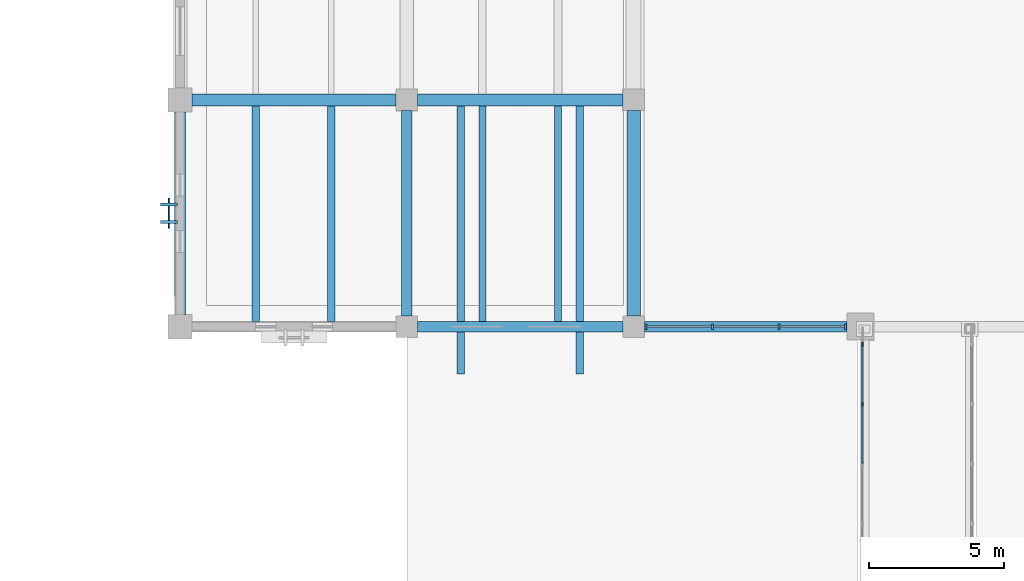
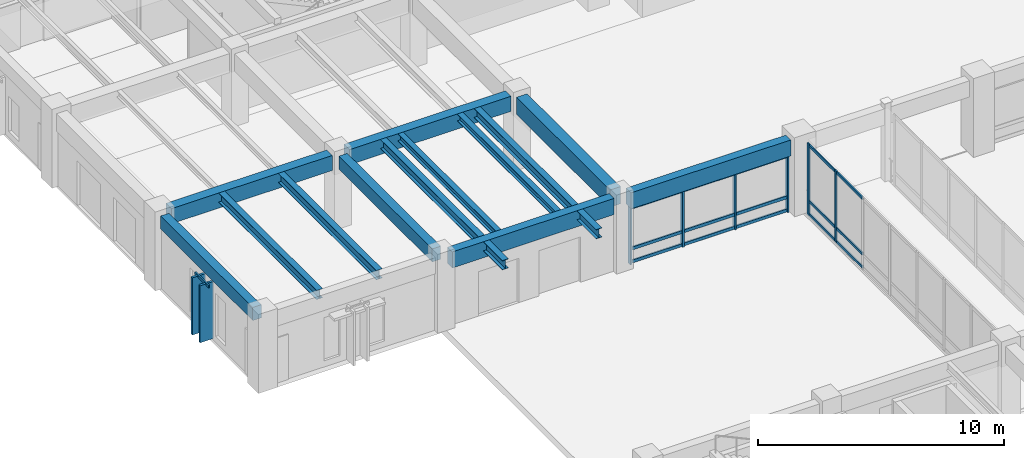
# One storey, part 37 of 135: 24 members, 13 beams, 3 elements without a shape of their own.
"""IFC4 building model written with IfcOpenShell, lengths in metres."""

from ifc_helpers import new_model, si_unit, direction, frame, origin, origin_2d, place, context, subcontext, project, spatial, rectangle, i_section, extrude, material, material_profile, profile_set, type_object, element, aggregate, save


model = new_model("IFC4")

# Units and contexts
model_context = context("Model", 3, precision=1e-05, world=origin(), true_north=direction((0.0, 1.0)))
body_context = subcontext(model_context, "Body", "Model", "MODEL_VIEW")
ifc_project = project(units=[si_unit("LENGTHUNIT", "METRE"), si_unit("AREAUNIT", "SQUARE_METRE"), si_unit("VOLUMEUNIT", "CUBIC_METRE"), si_unit("PLANEANGLEUNIT", "RADIAN"), si_unit("MASSUNIT", "GRAM", prefix="KILO")], contexts=[model_context])

# Site, building, storey
site_placement = place(None, origin())
site = spatial("IfcSite", under=ifc_project, at=site_placement, CompositionType="ELEMENT")
building_placement = place(site_placement, origin())
building = spatial("IfcBuilding", under=site, at=building_placement, Name="Cumbredor Promenade Congress Hotel", CompositionType="ELEMENT")
storey_placement = place(building_placement, origin())
storey = spatial("IfcBuildingStorey", under=building, at=storey_placement, Name="L00", CompositionType="ELEMENT", Elevation=0.0)

# Beams
ifc_material_1 = material(Name="Concrete C40/50", Category="concrete")
ifc_material_profile_1 = material_profile(ifc_material_1, rectangle(XDim=0.39990234375, YDim=0.64990234375, at=origin_2d()), Name="RC BEAM 400x650")
ifc_profile_set_1 = profile_set([ifc_material_profile_1], Name="Concrete C40/50")
beam_type_1 = type_object("IfcBeamType", Name="BM-RC-400x650", PredefinedType="BEAM", material=ifc_profile_set_1)
beam_1_placement = place(storey_placement, frame((0.0, 84.449951171875, 3.31494140625), z_axis=(0.0, 1.0, 0.0), x_axis=(-1.0, 0.0, 0.0)))
element("IfcBeam", 1, at=beam_1_placement, inside=storey, type_object=beam_type_1, Name="L01 Y-Grid Beam 002", PredefinedType="BEAM", context=body_context, shape_type="SweptSolid", body=[
    extrude(rectangle(XDim=0.39990234375, YDim=0.64990234375, at=origin_2d()), origin(), (0.0, 0.0, 1.0), 7.5),
])
beam_2_placement = place(storey_placement, frame((8.39990234375, 84.39990234375, 3.31494140625), z_axis=(0.0, 1.0, 0.0), x_axis=(-1.0, 0.0, 0.0)))
element("IfcBeam", 2, at=beam_2_placement, inside=storey, type_object=beam_type_1, Name="L01 Y-Grid Beam 026", PredefinedType="BEAM", context=body_context, shape_type="SweptSolid", body=[
    extrude(rectangle(XDim=0.39990234375, YDim=0.64990234375, at=origin_2d()), origin(), (0.0, 0.0, 1.0), 7.60009765625),
])
ifc_material_profile_2 = material_profile(ifc_material_1, rectangle(XDim=0.449951171875, YDim=0.75, at=origin_2d()), Name="RC BEAM 450x750")
ifc_profile_set_2 = profile_set([ifc_material_profile_2], Name="Concrete C40/50")
beam_type_2 = type_object("IfcBeamType", Name="BM-RC-450x750", PredefinedType="BEAM", material=ifc_profile_set_2)
beam_3_placement = place(storey_placement, frame((0.449951171875, 92.39990234375, 3.264892578125), z_axis=(1.0, 0.0, 0.0), x_axis=(0.0, 1.0, 0.0)))
element("IfcBeam", 3, at=beam_3_placement, inside=storey, type_object=beam_type_2, Name="L01 X-Grid Beam 003", PredefinedType="BEAM", context=body_context, shape_type="SweptSolid", body=[
    extrude(rectangle(XDim=0.449951171875, YDim=0.75, at=origin_2d()), origin(), (0.0, 0.0, 1.0), 7.550048828125),
])
beam_4_placement = place(storey_placement, frame((8.800048828125, 92.39990234375, 3.264892578125), z_axis=(1.0, 0.0, 0.0), x_axis=(0.0, 1.0, 0.0)))
element("IfcBeam", 4, at=beam_4_placement, inside=storey, type_object=beam_type_2, Name="L01 X-Grid Beam 027", PredefinedType="BEAM", context=body_context, shape_type="SweptSolid", body=[
    extrude(rectangle(XDim=0.449951171875, YDim=0.75, at=origin_2d()), origin(), (0.0, 0.0, 1.0), 7.599853515625),
])
ifc_material_profile_3 = material_profile(ifc_material_1, rectangle(XDim=0.5, YDim=0.85009765625, at=origin_2d()), Name="RC BEAM 500x850")
ifc_profile_set_3 = profile_set([ifc_material_profile_3], Name="Concrete C40/50")
beam_type_3 = type_object("IfcBeamType", Name="BM-RC-500x850", PredefinedType="BEAM", material=ifc_profile_set_3)
beam_5_placement = place(storey_placement, frame((16.800048828125, 84.39990234375, 3.215087890625), z_axis=(0.0, 1.0, 0.0), x_axis=(-1.0, 0.0, 0.0)))
element("IfcBeam", 5, at=beam_5_placement, inside=storey, type_object=beam_type_3, Name="L01 Y-Grid Beam 044", PredefinedType="BEAM", context=body_context, shape_type="SweptSolid", body=[
    extrude(rectangle(XDim=0.5, YDim=0.85009765625, at=origin_2d()), origin(), (0.0, 0.0, 1.0), 7.60009765625),
])

# Curtain wall, members
ifc_material_2 = material(Name="Thermally broken anodized aluminium and low-E glass", Category="aluminium")
curtain_wall_type_1 = type_object("IfcCurtainWallType", Name="Unitised Bridge Glazing Screen CW-05", PredefinedType="NOTDEFINED", material=ifc_material_2)
curtain_wall_1_placement = place(storey_placement, origin())
curtain_wall_1 = element("IfcCurtainWall", 6, at=curtain_wall_1_placement, inside=storey, type_object=curtain_wall_type_1, Name="L00 West Congress-to-Hotel Glazed Bridge West Glazing Screen", PredefinedType="NOTDEFINED")
ifc_material_3 = material(Name="Thermally broken anodized aluminium", Category="aluminium")
ifc_material_profile_4 = material_profile(ifc_material_3, rectangle(XDim=0.06494140625, YDim=0.159912109375, at=origin_2d()), Name="ALU MULLION 65x160")
ifc_profile_set_4 = profile_set([ifc_material_profile_4], Name="Thermally broken anodized aluminium")
member_type_1 = type_object("IfcMemberType", Name="Curtain Wall Mullion ML-01", PredefinedType="MULLION", material=ifc_profile_set_4)
member_1_placement = place(storey_placement, frame((25.280029296875, 81.128662109375, -0.008056640625), z_axis=(0.0, 0.0, 1.0), x_axis=(1.0, 0.0, 0.0)))
member_1 = element("IfcMember", 7, at=member_1_placement, type_object=member_type_1, Name="L00 West Congress-to-Hotel Glazed Bridge West Glazing Screen Mullion 7", PredefinedType="MULLION", context=body_context, shape_type="SweptSolid", body=[
    extrude(rectangle(XDim=0.06494140625, YDim=0.159912109375, at=origin_2d()), origin(), (0.0, 0.0, 1.0), 3.55615234375),
])
member_2_placement = place(storey_placement, frame((25.280029296875, 83.340087890625, -0.008056640625), z_axis=(0.0, 0.0, 1.0), x_axis=(1.0, 0.0, 0.0)))
member_2 = element("IfcMember", 8, at=member_2_placement, type_object=member_type_1, Name="L00 West Congress-to-Hotel Glazed Bridge West Glazing Screen Mullion 8", PredefinedType="MULLION", context=body_context, shape_type="SweptSolid", body=[
    extrude(rectangle(XDim=0.06494140625, YDim=0.159912109375, at=origin_2d()), origin(), (0.0, 0.0, 1.0), 3.55615234375),
])

curtain_wall_type_2 = type_object("IfcCurtainWallType", Name="Unitised Grand Foyer Curtain Wall CW-04", PredefinedType="NOTDEFINED", material=ifc_material_2)
curtain_wall_2_placement = place(storey_placement, origin())
curtain_wall_2 = element("IfcCurtainWall", 9, at=curtain_wall_2_placement, inside=storey, type_object=curtain_wall_type_2, Name="L00 Stepped Congress Hotel Wing South Curtain Wall 3", PredefinedType="NOTDEFINED")
ifc_material_profile_5 = material_profile(ifc_material_3, rectangle(XDim=0.074951171875, YDim=0.199951171875, at=origin_2d()), Name="ALU MULLION 75x200")
ifc_profile_set_5 = profile_set([ifc_material_profile_5], Name="Thermally broken anodized aluminium")
member_type_2 = type_object("IfcMemberType", Name="Curtain Wall Mullion ML-02", PredefinedType="MULLION", material=ifc_profile_set_5)
member_3_placement = place(storey_placement, frame((17.2548828125, 84.0, -0.008056640625), z_axis=(0.0, 0.0, 1.0), x_axis=(1.0, 0.0, 0.0)))
member_3 = element("IfcMember", 10, at=member_3_placement, type_object=member_type_2, Name="L00 Stepped Congress Hotel Wing South Curtain Wall 3 Mullion 1", PredefinedType="MULLION", context=body_context, shape_type="SweptSolid", body=[
    extrude(rectangle(XDim=0.074951171875, YDim=0.199951171875, at=origin_2d()), origin(), (0.0, 0.0, 1.0), 2.841064453125),
])
member_4_placement = place(storey_placement, frame((19.71826171875, 84.0, -0.008056640625), z_axis=(0.0, 0.0, 1.0), x_axis=(1.0, 0.0, 0.0)))
member_4 = element("IfcMember", 11, at=member_4_placement, type_object=member_type_2, Name="L00 Stepped Congress Hotel Wing South Curtain Wall 3 Mullion 2", PredefinedType="MULLION", context=body_context, shape_type="SweptSolid", body=[
    extrude(rectangle(XDim=0.074951171875, YDim=0.199951171875, at=origin_2d()), origin(), (0.0, 0.0, 1.0), 2.841064453125),
])
member_5_placement = place(storey_placement, frame((22.181640625, 84.0, -0.008056640625), z_axis=(0.0, 0.0, 1.0), x_axis=(1.0, 0.0, 0.0)))
member_5 = element("IfcMember", 12, at=member_5_placement, type_object=member_type_2, Name="L00 Stepped Congress Hotel Wing South Curtain Wall 3 Mullion 3", PredefinedType="MULLION", context=body_context, shape_type="SweptSolid", body=[
    extrude(rectangle(XDim=0.074951171875, YDim=0.199951171875, at=origin_2d()), origin(), (0.0, 0.0, 1.0), 2.841064453125),
])
member_6_placement = place(storey_placement, frame((24.64501953125, 84.0, -0.008056640625), z_axis=(0.0, 0.0, 1.0), x_axis=(1.0, 0.0, 0.0)))
member_6 = element("IfcMember", 13, at=member_6_placement, type_object=member_type_2, Name="L00 Stepped Congress Hotel Wing South Curtain Wall 3 Mullion 4", PredefinedType="MULLION", context=body_context, shape_type="SweptSolid", body=[
    extrude(rectangle(XDim=0.074951171875, YDim=0.199951171875, at=origin_2d()), origin(), (0.0, 0.0, 1.0), 2.841064453125),
])

# Curtain wall, member
curtain_wall_type_3 = type_object("IfcCurtainWallType", Name="Solar Brise-Soleil Screen Assembly CW-07", PredefinedType="NOTDEFINED", material=ifc_material_2)
curtain_wall_3_placement = place(storey_placement, origin())
curtain_wall_3 = element("IfcCurtainWall", 14, at=curtain_wall_3_placement, inside=storey, type_object=curtain_wall_type_3, Name="L00 Pier Brise-Soleil Screen 0133", PredefinedType="NOTDEFINED")
ifc_material_profile_6 = material_profile(ifc_material_3, rectangle(XDim=0.06494140625, YDim=0.1298828125, at=origin_2d()), Name="ALU TRANSOM 65x130")
ifc_profile_set_6 = profile_set([ifc_material_profile_6], Name="Thermally broken anodized aluminium")
member_type_3 = type_object("IfcMemberType", Name="Curtain Wall Transom TR-01", PredefinedType="USERDEFINED", material=ifc_profile_set_6)
member_7_placement = place(storey_placement, frame((-0.409912109375, 87.64990234375, 2.81494140625), z_axis=(0.0, 1.0, 0.0), x_axis=(-1.0, 0.0, 0.0)))
member_7 = element("IfcMember", 15, at=member_7_placement, type_object=member_type_3, Name="L00 Pier Brise-Soleil Header 0135", ObjectType="TRANSOM", PredefinedType="USERDEFINED", context=body_context, shape_type="SweptSolid", body=[
    extrude(rectangle(XDim=0.06494140625, YDim=0.1298828125, at=origin_2d()), origin(), (0.0, 0.0, 1.0), 1.10009765625),
])

# Member
member_8_placement = place(storey_placement, frame((25.280029296875, 78.94970703125, 0.070068359375), z_axis=(0.0, 1.0, 0.0), x_axis=(-1.0, 0.0, 0.0)))
member_8 = element("IfcMember", 16, at=member_8_placement, type_object=member_type_3, Name="L00 West Congress-to-Hotel Glazed Bridge West Glazing Screen Transom 6.1", ObjectType="TRANSOM", PredefinedType="USERDEFINED", context=body_context, shape_type="SweptSolid", body=[
    extrude(rectangle(XDim=0.06494140625, YDim=0.1298828125, at=origin_2d()), origin(), (0.0, 0.0, 1.0), 2.146484375),
])

member_9_placement = place(storey_placement, frame((25.280029296875, 78.94970703125, 0.719970703125), z_axis=(0.0, 1.0, 0.0), x_axis=(-1.0, 0.0, 0.0)))
member_9 = element("IfcMember", 17, at=member_9_placement, type_object=member_type_3, Name="L00 West Congress-to-Hotel Glazed Bridge West Glazing Screen Transom 6.2", ObjectType="TRANSOM", PredefinedType="USERDEFINED", context=body_context, shape_type="SweptSolid", body=[
    extrude(rectangle(XDim=0.06494140625, YDim=0.1298828125, at=origin_2d()), origin(), (0.0, 0.0, 1.0), 2.146484375),
])

member_10_placement = place(storey_placement, frame((25.280029296875, 78.94970703125, 3.47998046875), z_axis=(0.0, 1.0, 0.0), x_axis=(-1.0, 0.0, 0.0)))
member_10 = element("IfcMember", 18, at=member_10_placement, type_object=member_type_3, Name="L00 West Congress-to-Hotel Glazed Bridge West Glazing Screen Transom 6.3", ObjectType="TRANSOM", PredefinedType="USERDEFINED", context=body_context, shape_type="SweptSolid", body=[
    extrude(rectangle(XDim=0.06494140625, YDim=0.1298828125, at=origin_2d()), origin(), (0.0, 0.0, 1.0), 2.146484375),
])

member_11_placement = place(storey_placement, frame((25.280029296875, 81.1611328125, 0.070068359375), z_axis=(0.0, 1.0, 0.0), x_axis=(-1.0, 0.0, 0.0)))
member_11 = element("IfcMember", 19, at=member_11_placement, type_object=member_type_3, Name="L00 West Congress-to-Hotel Glazed Bridge West Glazing Screen Transom 7.1", ObjectType="TRANSOM", PredefinedType="USERDEFINED", context=body_context, shape_type="SweptSolid", body=[
    extrude(rectangle(XDim=0.06494140625, YDim=0.1298828125, at=origin_2d()), origin(), (0.0, 0.0, 1.0), 2.146484375),
])

member_12_placement = place(storey_placement, frame((25.280029296875, 81.1611328125, 0.719970703125), z_axis=(0.0, 1.0, 0.0), x_axis=(-1.0, 0.0, 0.0)))
member_12 = element("IfcMember", 20, at=member_12_placement, type_object=member_type_3, Name="L00 West Congress-to-Hotel Glazed Bridge West Glazing Screen Transom 7.2", ObjectType="TRANSOM", PredefinedType="USERDEFINED", context=body_context, shape_type="SweptSolid", body=[
    extrude(rectangle(XDim=0.06494140625, YDim=0.1298828125, at=origin_2d()), origin(), (0.0, 0.0, 1.0), 2.146484375),
])

member_13_placement = place(storey_placement, frame((25.280029296875, 81.1611328125, 3.47998046875), z_axis=(0.0, 1.0, 0.0), x_axis=(-1.0, 0.0, 0.0)))
member_13 = element("IfcMember", 21, at=member_13_placement, type_object=member_type_3, Name="L00 West Congress-to-Hotel Glazed Bridge West Glazing Screen Transom 7.3", ObjectType="TRANSOM", PredefinedType="USERDEFINED", context=body_context, shape_type="SweptSolid", body=[
    extrude(rectangle(XDim=0.06494140625, YDim=0.1298828125, at=origin_2d()), origin(), (0.0, 0.0, 1.0), 2.146484375),
])

aggregate(curtain_wall_1, [member_1, member_2, member_8, member_9, member_10, member_11, member_12, member_13])

ifc_material_profile_7 = material_profile(ifc_material_3, rectangle(XDim=0.074951171875, YDim=0.14990234375, at=origin_2d()), Name="ALU TRANSOM 75x150")
ifc_profile_set_7 = profile_set([ifc_material_profile_7], Name="Thermally broken anodized aluminium")
member_type_4 = type_object("IfcMemberType", Name="Curtain Wall Transom TR-02", PredefinedType="USERDEFINED", material=ifc_profile_set_7)
member_14_placement = place(storey_placement, frame((17.29248046875, 84.0, 0.070068359375), z_axis=(1.0, 0.0, 0.0), x_axis=(0.0, 1.0, 0.0)))
member_14 = element("IfcMember", 22, at=member_14_placement, type_object=member_type_4, Name="L00 Stepped Congress Hotel Wing South Curtain Wall 3 Transom 1.1", ObjectType="TRANSOM", PredefinedType="USERDEFINED", context=body_context, shape_type="SweptSolid", body=[
    extrude(rectangle(XDim=0.074951171875, YDim=0.14990234375, at=origin_2d()), origin(), (0.0, 0.0, 1.0), 2.388427734375),
])

member_15_placement = place(storey_placement, frame((17.29248046875, 84.0, 0.719970703125), z_axis=(1.0, 0.0, 0.0), x_axis=(0.0, 1.0, 0.0)))
member_15 = element("IfcMember", 23, at=member_15_placement, type_object=member_type_4, Name="L00 Stepped Congress Hotel Wing South Curtain Wall 3 Transom 1.2", ObjectType="TRANSOM", PredefinedType="USERDEFINED", context=body_context, shape_type="SweptSolid", body=[
    extrude(rectangle(XDim=0.074951171875, YDim=0.14990234375, at=origin_2d()), origin(), (0.0, 0.0, 1.0), 2.388427734375),
])

member_16_placement = place(storey_placement, frame((17.29248046875, 84.0, 2.75), z_axis=(1.0, 0.0, 0.0), x_axis=(0.0, 1.0, 0.0)))
member_16 = element("IfcMember", 24, at=member_16_placement, type_object=member_type_4, Name="L00 Stepped Congress Hotel Wing South Curtain Wall 3 Transom 1.3", ObjectType="TRANSOM", PredefinedType="USERDEFINED", context=body_context, shape_type="SweptSolid", body=[
    extrude(rectangle(XDim=0.074951171875, YDim=0.14990234375, at=origin_2d()), origin(), (0.0, 0.0, 1.0), 2.388427734375),
])

member_17_placement = place(storey_placement, frame((19.755859375, 84.0, 0.070068359375), z_axis=(1.0, 0.0, 0.0), x_axis=(0.0, 1.0, 0.0)))
member_17 = element("IfcMember", 25, at=member_17_placement, type_object=member_type_4, Name="L00 Stepped Congress Hotel Wing South Curtain Wall 3 Transom 2.1", ObjectType="TRANSOM", PredefinedType="USERDEFINED", context=body_context, shape_type="SweptSolid", body=[
    extrude(rectangle(XDim=0.074951171875, YDim=0.14990234375, at=origin_2d()), origin(), (0.0, 0.0, 1.0), 2.388427734375),
])

member_18_placement = place(storey_placement, frame((19.755859375, 84.0, 0.719970703125), z_axis=(1.0, 0.0, 0.0), x_axis=(0.0, 1.0, 0.0)))
member_18 = element("IfcMember", 26, at=member_18_placement, type_object=member_type_4, Name="L00 Stepped Congress Hotel Wing South Curtain Wall 3 Transom 2.2", ObjectType="TRANSOM", PredefinedType="USERDEFINED", context=body_context, shape_type="SweptSolid", body=[
    extrude(rectangle(XDim=0.074951171875, YDim=0.14990234375, at=origin_2d()), origin(), (0.0, 0.0, 1.0), 2.388427734375),
])

member_19_placement = place(storey_placement, frame((19.755859375, 84.0, 2.75), z_axis=(1.0, 0.0, 0.0), x_axis=(0.0, 1.0, 0.0)))
member_19 = element("IfcMember", 27, at=member_19_placement, type_object=member_type_4, Name="L00 Stepped Congress Hotel Wing South Curtain Wall 3 Transom 2.3", ObjectType="TRANSOM", PredefinedType="USERDEFINED", context=body_context, shape_type="SweptSolid", body=[
    extrude(rectangle(XDim=0.074951171875, YDim=0.14990234375, at=origin_2d()), origin(), (0.0, 0.0, 1.0), 2.388427734375),
])

member_20_placement = place(storey_placement, frame((22.21923828125, 84.0, 0.070068359375), z_axis=(1.0, 0.0, 0.0), x_axis=(0.0, 1.0, 0.0)))
member_20 = element("IfcMember", 28, at=member_20_placement, type_object=member_type_4, Name="L00 Stepped Congress Hotel Wing South Curtain Wall 3 Transom 3.1", ObjectType="TRANSOM", PredefinedType="USERDEFINED", context=body_context, shape_type="SweptSolid", body=[
    extrude(rectangle(XDim=0.074951171875, YDim=0.14990234375, at=origin_2d()), origin(), (0.0, 0.0, 1.0), 2.38818359375),
])

member_21_placement = place(storey_placement, frame((22.21923828125, 84.0, 0.719970703125), z_axis=(1.0, 0.0, 0.0), x_axis=(0.0, 1.0, 0.0)))
member_21 = element("IfcMember", 29, at=member_21_placement, type_object=member_type_4, Name="L00 Stepped Congress Hotel Wing South Curtain Wall 3 Transom 3.2", ObjectType="TRANSOM", PredefinedType="USERDEFINED", context=body_context, shape_type="SweptSolid", body=[
    extrude(rectangle(XDim=0.074951171875, YDim=0.14990234375, at=origin_2d()), origin(), (0.0, 0.0, 1.0), 2.38818359375),
])

member_22_placement = place(storey_placement, frame((22.21923828125, 84.0, 2.75), z_axis=(1.0, 0.0, 0.0), x_axis=(0.0, 1.0, 0.0)))
member_22 = element("IfcMember", 30, at=member_22_placement, type_object=member_type_4, Name="L00 Stepped Congress Hotel Wing South Curtain Wall 3 Transom 3.3", ObjectType="TRANSOM", PredefinedType="USERDEFINED", context=body_context, shape_type="SweptSolid", body=[
    extrude(rectangle(XDim=0.074951171875, YDim=0.14990234375, at=origin_2d()), origin(), (0.0, 0.0, 1.0), 2.38818359375),
])

aggregate(curtain_wall_2, [member_3, member_4, member_5, member_6, member_14, member_15, member_16, member_17, member_18, member_19, member_20, member_21, member_22])

# Beams
ifc_material_4 = material(Name="Steel ASTM A992 Grade 50", Category="steel")
ifc_material_profile_8 = material_profile(ifc_material_4, i_section(OverallWidth=0.2548828125, OverallDepth=0.35693359375, WebThickness=0.010498046875, FlangeThickness=0.018310546875, at=origin_2d()), Name="W14X68")
ifc_profile_set_8 = profile_set([ifc_material_profile_8], Name="Steel ASTM A992 Grade 50")
beam_type_4 = type_object("IfcBeamType", Name="JST-W14X68", PredefinedType="JOIST", material=ifc_profile_set_8)
for number, where, z_axis, x_axis, name in (
    (31, (11.199951171875, 84.199951171875, 3.46142578125), (0.0, 1.0, 0.0), (-1.0, 0.0, 0.0), "L01 Secondary Floor Joist 0019"),
    (32, (14.0, 84.199951171875, 3.46142578125), (0.0, 1.0, 0.0), (-1.0, 0.0, 0.0), "L01 Secondary Floor Joist 0020"),
):
    element("IfcBeam", number, at=place(storey_placement, frame(where, z_axis=z_axis, x_axis=x_axis)), inside=storey, type_object=beam_type_4, Name=name, PredefinedType="JOIST", context=body_context, shape_type="SweptSolid", body=[
        extrude(i_section(OverallWidth=0.2548828125, OverallDepth=0.35693359375, WebThickness=0.010498046875, FlangeThickness=0.018310546875, at=origin_2d()), origin(), (0.0, 0.0, 1.0), 7.97509765625),
    ])
ifc_material_profile_9 = material_profile(ifc_material_4, i_section(OverallWidth=0.280029296875, OverallDepth=0.462890625, WebThickness=0.0107421875, FlangeThickness=0.017333984375, at=origin_2d()), Name="W18X76")
ifc_profile_set_9 = profile_set([ifc_material_profile_9], Name="Steel ASTM A992 Grade 50")
beam_type_5 = type_object("IfcBeamType", Name="JST-W18X76", PredefinedType="JOIST", material=ifc_profile_set_9)
for number, where, z_axis, x_axis, name in (
    (33, (10.39990234375, 82.25, 3.408447265625), (0.0, 1.0, 0.0), (-1.0, 0.0, 0.0), "L01 Balcony Back-Spanned Outrigger Beam 001.1"),
    (34, (14.800048828125, 82.25, 3.408447265625), (0.0, 1.0, 0.0), (-1.0, 0.0, 0.0), "L01 Balcony Back-Spanned Outrigger Beam 001.2"),
):
    element("IfcBeam", number, at=place(storey_placement, frame(where, z_axis=z_axis, x_axis=x_axis)), inside=storey, type_object=beam_type_5, Name=name, PredefinedType="JOIST", context=body_context, shape_type="SweptSolid", body=[
        extrude(i_section(OverallWidth=0.280029296875, OverallDepth=0.462890625, WebThickness=0.0107421875, FlangeThickness=0.017333984375, at=origin_2d()), origin(), (0.0, 0.0, 1.0), 10.14990234375),
    ])
for number, where, z_axis, x_axis, name in (
    (35, (2.800048828125, 84.199951171875, 3.408447265625), (0.0, 1.0, 0.0), (-1.0, 0.0, 0.0), "L01 Secondary Floor Joist 0001"),
    (36, (5.60009765625, 84.199951171875, 3.408447265625), (0.0, 1.0, 0.0), (-1.0, 0.0, 0.0), "L01 Secondary Floor Joist 0002"),
):
    element("IfcBeam", number, at=place(storey_placement, frame(where, z_axis=z_axis, x_axis=x_axis)), inside=storey, type_object=beam_type_5, Name=name, PredefinedType="JOIST", context=body_context, shape_type="SweptSolid", body=[
        extrude(i_section(OverallWidth=0.280029296875, OverallDepth=0.462890625, WebThickness=0.0107421875, FlangeThickness=0.017333984375, at=origin_2d()), origin(), (0.0, 0.0, 1.0), 7.97509765625),
    ])
ifc_material_profile_10 = material_profile(ifc_material_1, rectangle(XDim=0.39990234375, YDim=0.800048828125, at=origin_2d()), Name="RC SPANDREL 400x800")
ifc_profile_set_10 = profile_set([ifc_material_profile_10], Name="Concrete C40/50")
beam_type_6 = type_object("IfcBeamType", Name="SP-RC-400x800", PredefinedType="SPANDREL", material=ifc_profile_set_10)
beam_6_placement = place(storey_placement, frame((8.800048828125, 84.0, 3.239990234375), z_axis=(1.0, 0.0, 0.0), x_axis=(0.0, 1.0, 0.0)))
element("IfcBeam", 37, at=beam_6_placement, inside=storey, type_object=beam_type_6, Name="L01 X-Grid Beam 025", PredefinedType="SPANDREL", context=body_context, shape_type="SweptSolid", body=[
    extrude(rectangle(XDim=0.39990234375, YDim=0.800048828125, at=origin_2d()), origin(), (0.0, 0.0, 1.0), 7.599853515625),
])
beam_7_placement = place(storey_placement, frame((17.199951171875, 84.0, 3.239990234375), z_axis=(1.0, 0.0, 0.0), x_axis=(0.0, 1.0, 0.0)))
element("IfcBeam", 38, at=beam_7_placement, inside=storey, type_object=beam_type_6, Name="L01 X-Grid Beam 043", PredefinedType="SPANDREL", context=body_context, shape_type="SweptSolid", body=[
    extrude(rectangle(XDim=0.39990234375, YDim=0.800048828125, at=origin_2d()), origin(), (0.0, 0.0, 1.0), 7.5),
])

# Member
ifc_material_profile_11 = material_profile(ifc_material_3, rectangle(XDim=0.110107421875, YDim=0.6201171875, at=origin_2d()), Name="ARCH FIN 110x620")
ifc_profile_set_11 = profile_set([ifc_material_profile_11], Name="Thermally broken anodized aluminium")
member_type_5 = type_object("IfcMemberType", Name="Vertical Bronze Brise-Soleil Fin BSF-02 110x620", PredefinedType="USERDEFINED", material=ifc_profile_set_11)
member_23_placement = place(storey_placement, frame((-0.409912109375, 87.8798828125, 0.02001953125), z_axis=(0.0, 0.0, 1.0), x_axis=(0.0, 1.0, 0.0)))
member_23 = element("IfcMember", 39, at=member_23_placement, type_object=member_type_5, Name="L00 Pier Brise-Soleil Fin 0134", ObjectType="SOLAR FIN", PredefinedType="USERDEFINED", context=body_context, shape_type="SweptSolid", body=[
    extrude(rectangle(XDim=0.110107421875, YDim=0.6201171875, at=origin_2d()), origin(), (0.0, 0.0, 1.0), 2.8349609375),
])

member_24_placement = place(storey_placement, frame((-0.409912109375, 88.52001953125, 0.02001953125), z_axis=(0.0, 0.0, 1.0), x_axis=(0.0, 1.0, 0.0)))
member_24 = element("IfcMember", 40, at=member_24_placement, type_object=member_type_5, Name="L00 Pier Brise-Soleil Fin 0135", ObjectType="SOLAR FIN", PredefinedType="USERDEFINED", context=body_context, shape_type="SweptSolid", body=[
    extrude(rectangle(XDim=0.110107421875, YDim=0.6201171875, at=origin_2d()), origin(), (0.0, 0.0, 1.0), 2.8349609375),
])

aggregate(curtain_wall_3, [member_23, member_24, member_7])

save(model, "model.ifc")
